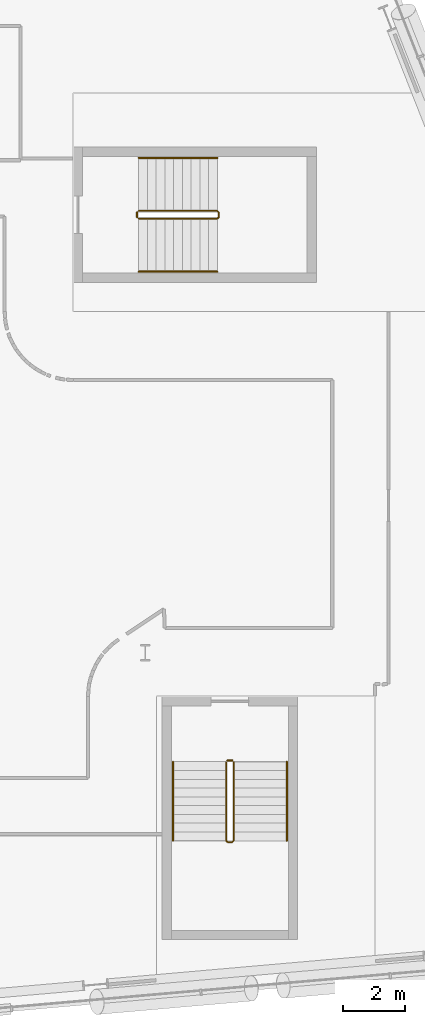
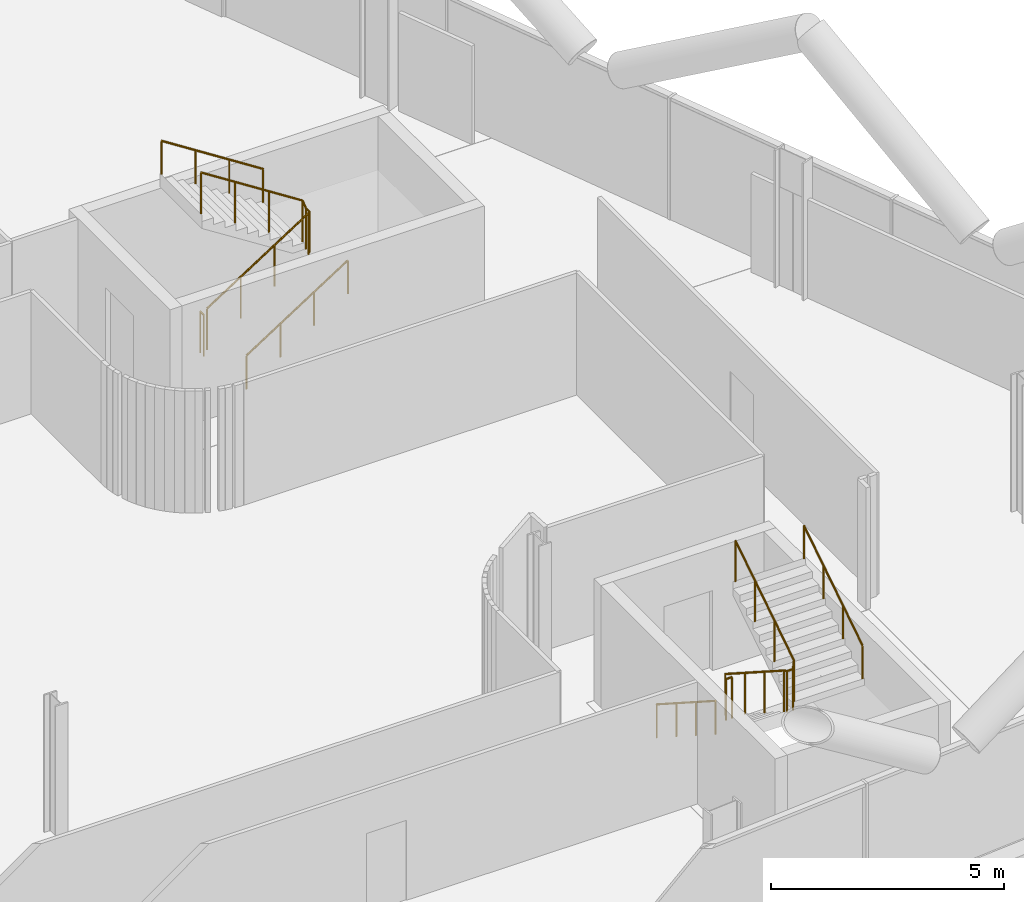
# One storey, part 31 of 31: 8 railings.
"""IFC4 building model written with IfcOpenShell, lengths in metres."""

from ifc_helpers import new_model, si_unit, direction, frame, origin, origin_2d, place, context, subcontext, project, spatial, circle, extrude, material, type_object, element, save


model = new_model("IFC4")

# Units and contexts
model_context = context("Model", 3, precision=1e-05, world=origin(), true_north=direction((0.0, 1.0)))
body_context = subcontext(model_context, "Body", "Model", "MODEL_VIEW")
ifc_project = project(units=[si_unit("LENGTHUNIT", "METRE"), si_unit("AREAUNIT", "SQUARE_METRE"), si_unit("VOLUMEUNIT", "CUBIC_METRE"), si_unit("PLANEANGLEUNIT", "RADIAN"), si_unit("MASSUNIT", "GRAM", prefix="KILO")], contexts=[model_context])

# Site, building, storey
site_placement = place(None, origin())
site = spatial("IfcSite", under=ifc_project, at=site_placement, CompositionType="ELEMENT")
building_placement = place(site_placement, origin())
building = spatial("IfcBuilding", under=site, at=building_placement, Name="Wharfspan Tower", CompositionType="ELEMENT")
storey_placement = place(building_placement, frame((0.0, 0.0, 103.899902)))
storey = spatial("IfcBuildingStorey", under=building, at=storey_placement, Name="L23", CompositionType="ELEMENT", Elevation=103.899902)

# Railings
ifc_material = material(Name="Steel S355J2", Category="steel")
railing_type_1 = type_object("IfcRailingType", Name="Stair guard 1100", PredefinedType="GUARDRAIL", material=ifc_material)
railing_1_placement = place(storey_placement, frame((74.591064, 7.994629, 0.180176)))
element("IfcRailing", 1, at=railing_1_placement, inside=storey, type_object=railing_type_1, Name="L23 ST5 stair guard 1", PredefinedType="GUARDRAIL", context=body_context, shape_type="SweptSolid", body=[
    extrude(circle(Radius=0.023926, at=origin_2d()), frame((0.0, 0.0, 1.076172), z_axis=(0.0, -0.8412, 0.540725), x_axis=(1.0, 0.0, 0.0)), (0.0, 0.0, 1.0), 2.99585),
    extrude(circle(Radius=0.023926, at=origin_2d()), frame((0.0, -2.52002, 2.695801), z_axis=(0.707107, -0.707107, 0.0), x_axis=(0.707107, 0.707107, 0.0)), (0.0, 0.0, 1.0), 0.070801),
    extrude(circle(Radius=0.023926, at=origin_2d()), frame((0.050049, -2.570068, 2.695801), z_axis=(1.0, 0.0, 0.0), x_axis=(0.0, 1.0, 0.0)), (0.0, 0.0, 1.0), 0.149902),
    extrude(circle(Radius=0.023926, at=origin_2d()), frame((0.199951, -2.570068, 2.695801), z_axis=(0.258848, 0.258848, 0.930589), x_axis=(-0.707107, 0.707107, 0.0)), (0.0, 0.0, 1.0), 0.193359),
    extrude(circle(Radius=0.023926, at=origin_2d()), frame((0.25, -2.52002, 2.875977), z_axis=(0.0, 0.841163, 0.540782), x_axis=(-1.0, 0.0, 0.0)), (0.0, 0.0, 1.0), 2.99585),
    extrude(circle(Radius=0.020996, at=origin_2d()), origin(), (0.0, 0.0, 1.0), 1.052002),
    extrude(circle(Radius=0.020996, at=origin_2d()), frame((0.0, -0.840088, 0.540039)), (0.0, 0.0, 1.0), 1.052002),
    extrude(circle(Radius=0.020996, at=origin_2d()), frame((0.0, -1.679932, 1.079834)), (0.0, 0.0, 1.0), 1.052002),
    extrude(circle(Radius=0.020996, at=origin_2d()), frame((0.0, -2.52002, 1.619873)), (0.0, 0.0, 1.0), 1.052002),
    extrude(circle(Radius=0.020996, at=origin_2d()), frame((0.050049, -2.570068, 1.619873)), (0.0, 0.0, 1.0), 1.052002),
    extrude(circle(Radius=0.020996, at=origin_2d()), frame((0.199951, -2.570068, 1.619873)), (0.0, 0.0, 1.0), 1.052002),
    extrude(circle(Radius=0.020996, at=origin_2d()), frame((0.25, -2.52002, 1.799805)), (0.0, 0.0, 1.0), 1.052002),
    extrude(circle(Radius=0.020996, at=origin_2d()), frame((0.25, -1.679932, 2.339844)), (0.0, 0.0, 1.0), 1.052002),
    extrude(circle(Radius=0.020996, at=origin_2d()), frame((0.25, -0.840088, 2.879883)), (0.0, 0.0, 1.0), 1.052002),
    extrude(circle(Radius=0.020996, at=origin_2d()), frame((0.25, 0.0, 3.419922)), (0.0, 0.0, 1.0), 1.052002),
])
railing_2_placement = place(storey_placement, frame((74.641113, 8.044678, 0.0)))
element("IfcRailing", 2, at=railing_2_placement, inside=storey, type_object=railing_type_1, Name="L23 ST5 stair guard 2", PredefinedType="GUARDRAIL", context=body_context, shape_type="SweptSolid", body=[
    extrude(circle(Radius=0.023926, at=origin_2d()), frame((0.0, 0.0, 1.076172), z_axis=(1.0, 0.0, 0.0), x_axis=(0.0, 1.0, 0.0)), (0.0, 0.0, 1.0), 0.149902),
    extrude(circle(Radius=0.020996, at=origin_2d()), origin(), (0.0, 0.0, 1.0), 1.052002),
    extrude(circle(Radius=0.020996, at=origin_2d()), frame((0.149902, 0.0, 0.0)), (0.0, 0.0, 1.0), 1.052002),
])
railing_3_placement = place(storey_placement, frame((71.790283, 25.425049, 0.180176)))
element("IfcRailing", 3, at=railing_3_placement, inside=storey, type_object=railing_type_1, Name="L23 ST6 stair guard 1", PredefinedType="GUARDRAIL", context=body_context, shape_type="SweptSolid", body=[
    extrude(circle(Radius=0.023926, at=origin_2d()), frame((0.0, 0.0, 1.076172), z_axis=(0.8412, 0.0, 0.540725), x_axis=(0.0, 1.0, 0.0)), (0.0, 0.0, 1.0), 2.99585),
    extrude(circle(Radius=0.023926, at=origin_2d()), frame((2.52002, 0.0, 2.695801), z_axis=(0.707107, 0.707107, 0.0), x_axis=(-0.707107, 0.707107, 0.0)), (0.0, 0.0, 1.0), 0.070801),
    extrude(circle(Radius=0.023926, at=origin_2d()), frame((2.570068, 0.050049, 2.695801), z_axis=(0.0, 1.0, 0.0), x_axis=(-1.0, 0.0, 0.0)), (0.0, 0.0, 1.0), 0.149902),
    extrude(circle(Radius=0.023926, at=origin_2d()), frame((2.570068, 0.199951, 2.695801), z_axis=(-0.258848, 0.258848, 0.930589), x_axis=(-0.707107, -0.707107, 0.0)), (0.0, 0.0, 1.0), 0.193359),
    extrude(circle(Radius=0.023926, at=origin_2d()), frame((2.52002, 0.25, 2.875977), z_axis=(-0.841163, 0.0, 0.540782), x_axis=(0.0, -1.0, 0.0)), (0.0, 0.0, 1.0), 2.99585),
    extrude(circle(Radius=0.020996, at=origin_2d()), origin(), (0.0, 0.0, 1.0), 1.052002),
    extrude(circle(Radius=0.020996, at=origin_2d()), frame((0.840088, 0.0, 0.540039)), (0.0, 0.0, 1.0), 1.052002),
    extrude(circle(Radius=0.020996, at=origin_2d()), frame((1.679932, 0.0, 1.079834)), (0.0, 0.0, 1.0), 1.052002),
    extrude(circle(Radius=0.020996, at=origin_2d()), frame((2.52002, 0.0, 1.619873)), (0.0, 0.0, 1.0), 1.052002),
    extrude(circle(Radius=0.020996, at=origin_2d()), frame((2.570068, 0.050049, 1.619873)), (0.0, 0.0, 1.0), 1.052002),
    extrude(circle(Radius=0.020996, at=origin_2d()), frame((2.570068, 0.199951, 1.619873)), (0.0, 0.0, 1.0), 1.052002),
    extrude(circle(Radius=0.020996, at=origin_2d()), frame((2.52002, 0.25, 1.799805)), (0.0, 0.0, 1.0), 1.052002),
    extrude(circle(Radius=0.020996, at=origin_2d()), frame((1.679932, 0.25, 2.339844)), (0.0, 0.0, 1.0), 1.052002),
    extrude(circle(Radius=0.020996, at=origin_2d()), frame((0.840088, 0.25, 2.879883)), (0.0, 0.0, 1.0), 1.052002),
    extrude(circle(Radius=0.020996, at=origin_2d()), frame((0.0, 0.25, 3.419922)), (0.0, 0.0, 1.0), 1.052002),
])
railing_4_placement = place(storey_placement, frame((71.740479, 25.475098, 0.0)))
element("IfcRailing", 4, at=railing_4_placement, inside=storey, type_object=railing_type_1, Name="L23 ST6 stair guard 2", PredefinedType="GUARDRAIL", context=body_context, shape_type="SweptSolid", body=[
    extrude(circle(Radius=0.023926, at=origin_2d()), frame((0.0, 0.0, 1.076172), z_axis=(0.0, 1.0, 0.0), x_axis=(-1.0, 0.0, 0.0)), (0.0, 0.0, 1.0), 0.149902),
    extrude(circle(Radius=0.020996, at=origin_2d()), origin(), (0.0, 0.0, 1.0), 1.052002),
    extrude(circle(Radius=0.020996, at=origin_2d()), frame((0.0, 0.149902, 0.0)), (0.0, 0.0, 1.0), 1.052002),
])
railing_type_2 = type_object("IfcRailingType", Name="Stair handrail 900", PredefinedType="HANDRAIL", material=ifc_material)
railing_5_placement = place(storey_placement, frame((72.891113, 7.994629, 0.180176)))
element("IfcRailing", 5, at=railing_5_placement, inside=storey, type_object=railing_type_2, Name="L23 ST5 stair handrail 1", PredefinedType="HANDRAIL", context=body_context, shape_type="SweptSolid", body=[
    extrude(circle(Radius=0.023926, at=origin_2d()), frame((0.0, 0.0, 0.875977), z_axis=(0.0, -0.8412, 0.540725), x_axis=(1.0, 0.0, 0.0)), (0.0, 0.0, 1.0), 2.99585),
    extrude(circle(Radius=0.020996, at=origin_2d()), origin(), (0.0, 0.0, 1.0), 0.851807),
    extrude(circle(Radius=0.020996, at=origin_2d()), frame((0.0, -0.840088, 0.540039)), (0.0, 0.0, 1.0), 0.851807),
    extrude(circle(Radius=0.020996, at=origin_2d()), frame((0.0, -1.679932, 1.079834)), (0.0, 0.0, 1.0), 0.851807),
    extrude(circle(Radius=0.020996, at=origin_2d()), frame((0.0, -2.52002, 1.619873)), (0.0, 0.0, 1.0), 0.851807),
])
railing_6_placement = place(storey_placement, frame((76.541016, 5.474609, 1.97998)))
element("IfcRailing", 6, at=railing_6_placement, inside=storey, type_object=railing_type_2, Name="L23 ST5 stair handrail 2", PredefinedType="HANDRAIL", context=body_context, shape_type="SweptSolid", body=[
    extrude(circle(Radius=0.023926, at=origin_2d()), frame((0.0, 0.0, 0.875977), z_axis=(0.0, 0.841163, 0.540782), x_axis=(-1.0, 0.0, 0.0)), (0.0, 0.0, 1.0), 2.99585),
    extrude(circle(Radius=0.020996, at=origin_2d()), origin(), (0.0, 0.0, 1.0), 0.851807),
    extrude(circle(Radius=0.020996, at=origin_2d()), frame((0.0, 0.840088, 0.540039)), (0.0, 0.0, 1.0), 0.851807),
    extrude(circle(Radius=0.020996, at=origin_2d()), frame((0.0, 1.679932, 1.080078)), (0.0, 0.0, 1.0), 0.851807),
    extrude(circle(Radius=0.020996, at=origin_2d()), frame((0.0, 2.52002, 1.620117)), (0.0, 0.0, 1.0), 0.851807),
])
railing_7_placement = place(storey_placement, frame((71.790283, 23.725098, 0.180176)))
element("IfcRailing", 7, at=railing_7_placement, inside=storey, type_object=railing_type_2, Name="L23 ST6 stair handrail 1", PredefinedType="HANDRAIL", context=body_context, shape_type="SweptSolid", body=[
    extrude(circle(Radius=0.023926, at=origin_2d()), frame((0.0, 0.0, 0.875977), z_axis=(0.8412, 0.0, 0.540725), x_axis=(0.0, 1.0, 0.0)), (0.0, 0.0, 1.0), 2.99585),
    extrude(circle(Radius=0.020996, at=origin_2d()), origin(), (0.0, 0.0, 1.0), 0.851807),
    extrude(circle(Radius=0.020996, at=origin_2d()), frame((0.840088, 0.0, 0.540039)), (0.0, 0.0, 1.0), 0.851807),
    extrude(circle(Radius=0.020996, at=origin_2d()), frame((1.679932, 0.0, 1.079834)), (0.0, 0.0, 1.0), 0.851807),
    extrude(circle(Radius=0.020996, at=origin_2d()), frame((2.52002, 0.0, 1.619873)), (0.0, 0.0, 1.0), 0.851807),
])
railing_8_placement = place(storey_placement, frame((74.310303, 27.375, 1.97998)))
element("IfcRailing", 8, at=railing_8_placement, inside=storey, type_object=railing_type_2, Name="L23 ST6 stair handrail 2", PredefinedType="HANDRAIL", context=body_context, shape_type="SweptSolid", body=[
    extrude(circle(Radius=0.023926, at=origin_2d()), frame((0.0, 0.0, 0.875977), z_axis=(-0.841163, 0.0, 0.540782), x_axis=(0.0, -1.0, 0.0)), (0.0, 0.0, 1.0), 2.99585),
    extrude(circle(Radius=0.020996, at=origin_2d()), origin(), (0.0, 0.0, 1.0), 0.851807),
    extrude(circle(Radius=0.020996, at=origin_2d()), frame((-0.840088, 0.0, 0.540039)), (0.0, 0.0, 1.0), 0.851807),
    extrude(circle(Radius=0.020996, at=origin_2d()), frame((-1.679932, 0.0, 1.080078)), (0.0, 0.0, 1.0), 0.851807),
    extrude(circle(Radius=0.020996, at=origin_2d()), frame((-2.52002, 0.0, 1.620117)), (0.0, 0.0, 1.0), 0.851807),
])

save(model, "model.ifc")
